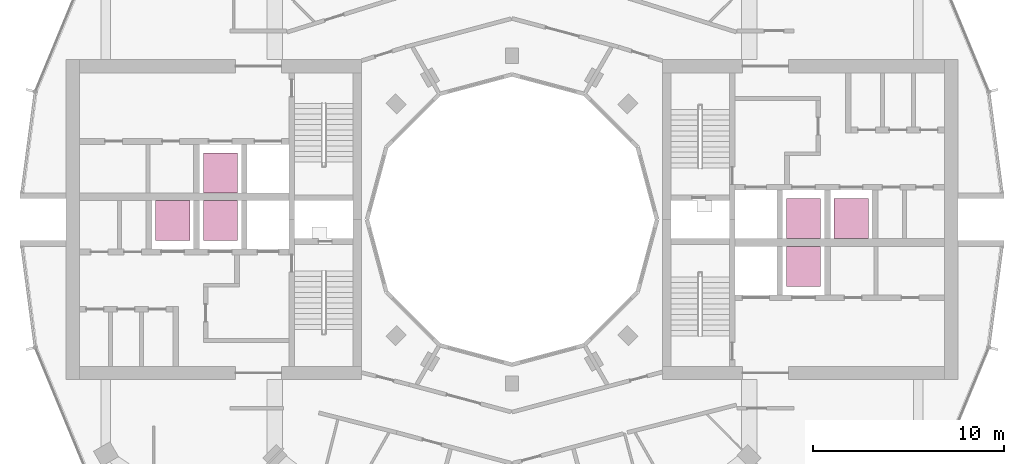
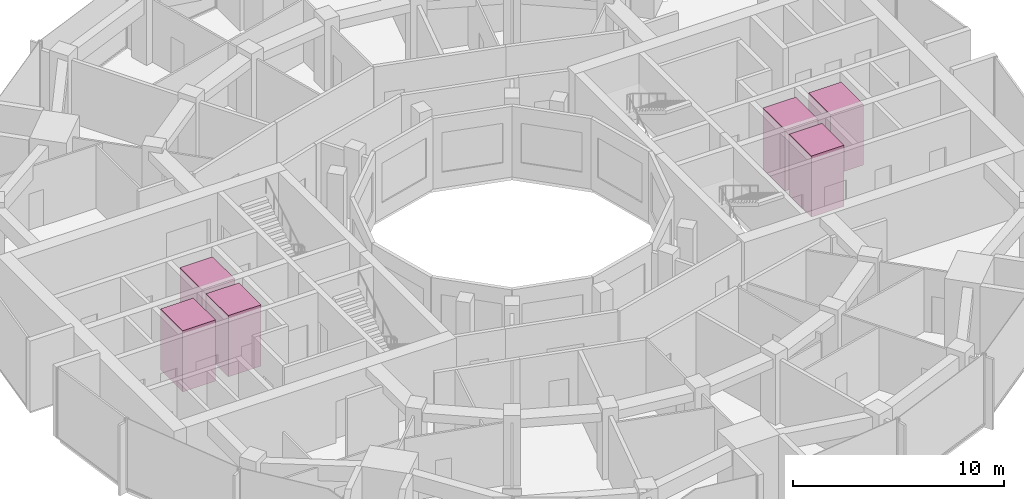
# One storey, part 15 of 15: 6 transport elements.
"""IFC4 building model written with IfcOpenShell, lengths in metres."""

from ifc_helpers import new_model, si_unit, direction, frame, origin, origin_2d, place, context, subcontext, project, spatial, rectangle, extrude, material, type_object, element, save


model = new_model("IFC4")

# Units and contexts
model_context = context("Model", 3, precision=1e-05, world=origin(), true_north=direction((0.0, 1.0)))
body_context = subcontext(model_context, "Body", "Model", "MODEL_VIEW")
ifc_project = project(units=[si_unit("LENGTHUNIT", "METRE"), si_unit("AREAUNIT", "SQUARE_METRE"), si_unit("VOLUMEUNIT", "CUBIC_METRE"), si_unit("PLANEANGLEUNIT", "RADIAN"), si_unit("MASSUNIT", "GRAM", prefix="KILO")], contexts=[model_context])

# Site, building, storey
site_placement = place(None, origin())
site = spatial("IfcSite", under=ifc_project, at=site_placement, CompositionType="ELEMENT")
building_placement = place(site_placement, origin())
building = spatial("IfcBuilding", under=site, at=building_placement, Name="Torre Brocal", CompositionType="ELEMENT")
storey_placement = place(building_placement, frame((0.0, 0.0, 170.0)))
storey = spatial("IfcBuildingStorey", under=building, at=storey_placement, Name="L39", CompositionType="ELEMENT", Elevation=170.0)

# Transport elements
ifc_material = material(Name="Stainless steel AISI 316", Category="steel")
transport_element_type = type_object("IfcTransportElementType", Name="PASSENGER LIFT", PredefinedType="ELEVATOR", material=ifc_material)
for number, where, z_axis, x_axis, name in (
    (1, (95.300048828125, 75.050048828125, 0.0), (0.0, 0.0, 1.0), (1.0, 0.0, 0.0), "HIGH RISE LIFT E-HR1"),
    (2, (95.300048828125, 72.550048828125, 0.0), (0.0, 0.0, 1.0), (1.0, 0.0, 0.0), "HIGH RISE LIFT E-HR2"),
    (3, (97.800048828125, 75.050048828125, 0.0), (0.0, 0.0, 1.0), (1.0, 0.0, 0.0), "HIGH RISE LIFT E-HR3"),
    (4, (64.699951171875, 74.949951171875, 0.0), (0.0, 0.0, 1.0), (1.0, 0.0, 0.0), "HIGH RISE LIFT W-HR1"),
    (5, (64.699951171875, 77.449951171875, 0.0), (0.0, 0.0, 1.0), (1.0, 0.0, 0.0), "HIGH RISE LIFT W-HR2"),
    (6, (62.199951171875, 74.949951171875, 0.0), (0.0, 0.0, 1.0), (1.0, 0.0, 0.0), "HIGH RISE LIFT W-HR3"),
):
    element("IfcTransportElement", number, at=place(storey_placement, frame(where, z_axis=z_axis, x_axis=x_axis)), inside=storey, type_object=transport_element_type, Name=name, PredefinedType="ELEVATOR", context=body_context, shape_type="SweptSolid", body=[
        extrude(rectangle(XDim=1.800048828125, YDim=2.10009765625, at=origin_2d()), origin(), (0.0, 0.0, 1.0), 3.550048828125),
    ])

save(model, "model.ifc")
